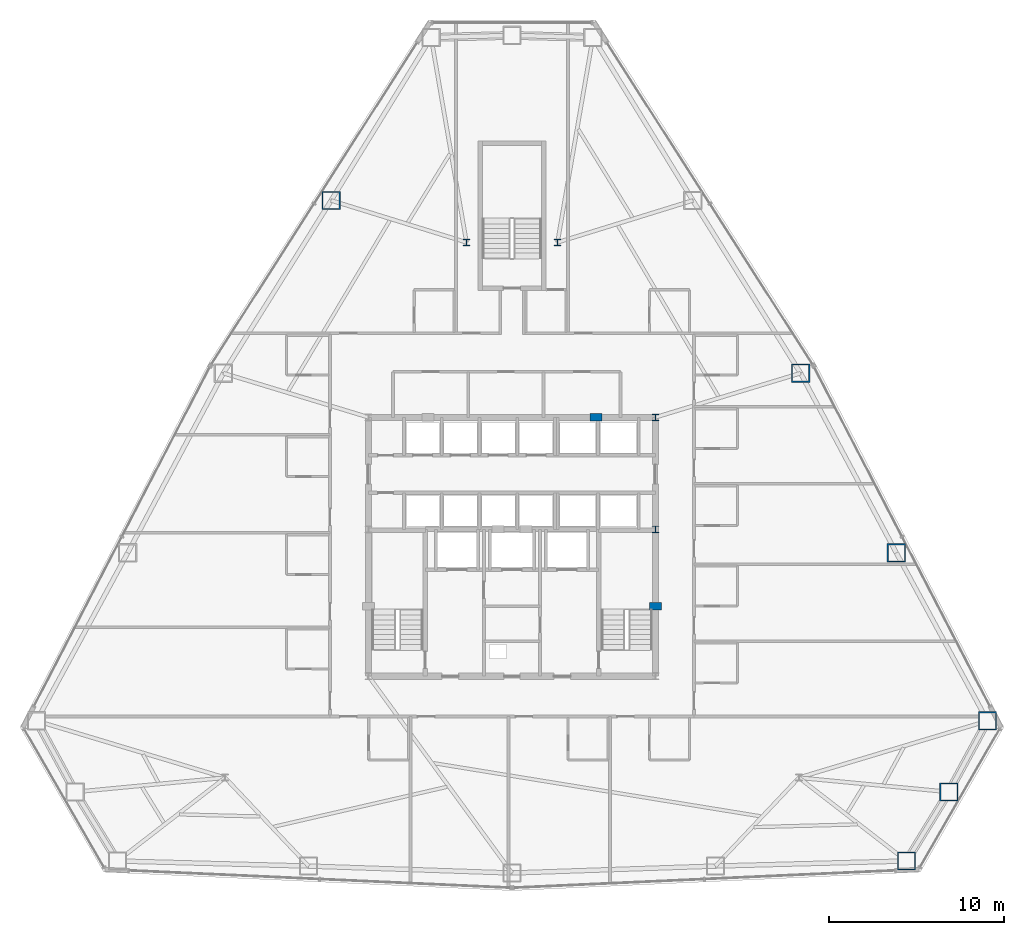
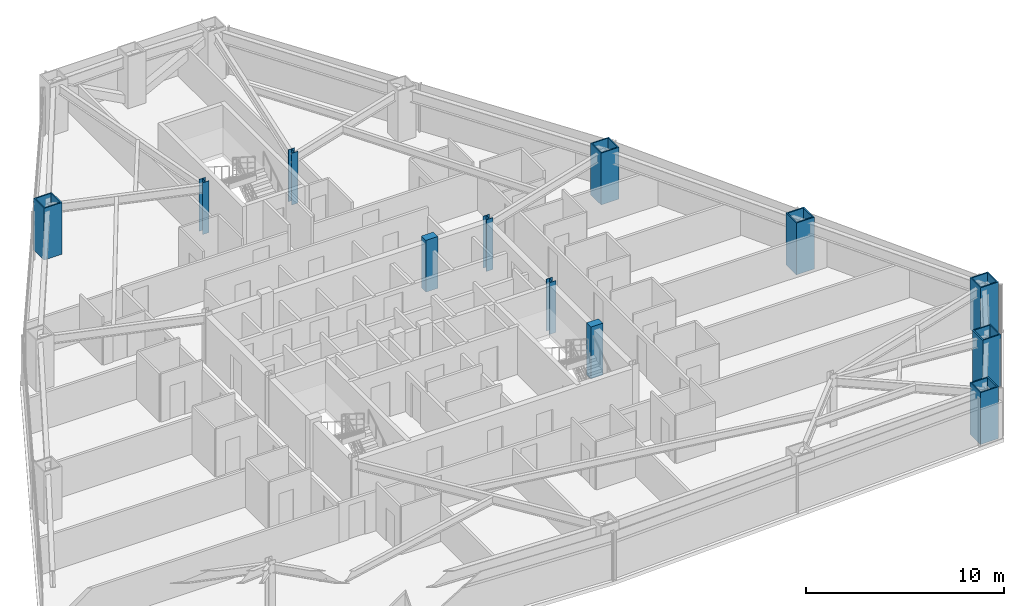
# One storey, part 2 of 13: 12 columns.
"""IFC4 building model written with IfcOpenShell, lengths in metres."""

from ifc_helpers import new_model, si_unit, direction, frame, origin, origin_2d, place, context, subcontext, project, spatial, rectangle, hollow_rectangle, i_section, extrude, material, material_profile, profile_set, type_object, element, save


model = new_model("IFC4")

# Units and contexts
model_context = context("Model", 3, precision=1e-05, world=origin(), true_north=direction((0.0, 1.0)))
body_context = subcontext(model_context, "Body", "Model", "MODEL_VIEW")
ifc_project = project(units=[si_unit("LENGTHUNIT", "METRE"), si_unit("AREAUNIT", "SQUARE_METRE"), si_unit("VOLUMEUNIT", "CUBIC_METRE"), si_unit("PLANEANGLEUNIT", "RADIAN"), si_unit("MASSUNIT", "GRAM", prefix="KILO")], contexts=[model_context])

# Site, building, storey
site_placement = place(None, origin())
site = spatial("IfcSite", under=ifc_project, at=site_placement, CompositionType="ELEMENT")
building_placement = place(site_placement, origin())
building = spatial("IfcBuilding", under=site, at=building_placement, Name="Varakhsha Concourse Tower", CompositionType="ELEMENT")
storey_placement = place(building_placement, frame((0.0, 0.0, 83.0)))
storey = spatial("IfcBuildingStorey", under=building, at=storey_placement, Name="L23", CompositionType="ELEMENT", Elevation=83.0)

# Columns
ifc_material_1 = material(Name="Structural Steel ASTM A992 Grade 50", Category="steel")
ifc_material_profile_1 = material_profile(ifc_material_1, i_section(OverallWidth=0.3740234375, OverallDepth=0.3720703125, WebThickness=0.01611328125, FlangeThickness=0.02587890625, at=origin_2d()), Name="W14X132")
ifc_profile_set_1 = profile_set([ifc_material_profile_1], Name="Structural Steel ASTM A992 Grade 50")
column_type_1 = type_object("IfcColumnType", Name="CL-CORE-W14X132", PredefinedType="COLUMN", material=ifc_profile_set_1)
for number, where, z_axis, x_axis, name in (
    (1, (48.199951171875, 24.800048828125, 0.0), (0.0, 0.0, 1.0), (1.0, 0.0, 0.0), "L23 Core Column CC-ME"),
    (2, (48.199951171875, 31.199951171875, 0.0), (0.0, 0.0, 1.0), (1.0, 0.0, 0.0), "L23 Core Column CC-NE"),
    (3, (37.39990234375, 41.199951171875, 0.0), (0.0, 0.0, 1.0), (1.0, 0.0, 0.0), "L23 Core Column NS-W"),
    (4, (42.60009765625, 41.199951171875, 0.0), (0.0, 0.0, 1.0), (1.0, 0.0, 0.0), "L23 Core Column NS-E"),
):
    element("IfcColumn", number, at=place(storey_placement, frame(where, z_axis=z_axis, x_axis=x_axis)), inside=storey, type_object=column_type_1, Name=name, PredefinedType="COLUMN", context=body_context, shape_type="SweptSolid", body=[
        extrude(i_section(OverallWidth=0.3740234375, OverallDepth=0.3720703125, WebThickness=0.01611328125, FlangeThickness=0.02587890625, at=origin_2d()), origin(), (0.0, 0.0, 1.0), 3.199951171875),
    ])
ifc_material_2 = material(Name="Concrete fc 65 MPa", Category="concrete")
ifc_material_profile_2 = material_profile(ifc_material_2, rectangle(XDim=0.699951171875, YDim=0.449951171875, at=origin_2d()), Name="RC 700x450")
ifc_profile_set_2 = profile_set([ifc_material_profile_2], Name="Concrete fc 65 MPa")
column_type_2 = type_object("IfcColumnType", Name="CL-PIL-700X450", PredefinedType="PILASTER", material=ifc_profile_set_2)
for number, where, z_axis, x_axis, name in (
    (5, (48.199951171875, 20.39990234375, 0.0), (0.0, 0.0, 1.0), (1.0, 0.0, 0.0), "L23 Core Boundary Pilaster PIL-E1"),
    (6, (44.800048828125, 31.199951171875, 0.0), (0.0, 0.0, 1.0), (1.0, 0.0, 0.0), "L23 Core Boundary Pilaster PIL-N2"),
):
    element("IfcColumn", number, at=place(storey_placement, frame(where, z_axis=z_axis, x_axis=x_axis)), inside=storey, type_object=column_type_2, Name=name, PredefinedType="PILASTER", context=body_context, shape_type="SweptSolid", body=[
        extrude(rectangle(XDim=0.699951171875, YDim=0.449951171875, at=origin_2d()), origin(), (0.0, 0.0, 1.0), 3.199951171875),
    ])
ifc_material_3 = material(Name="Structural Steel ASTM A572 Grade 50", Category="steel")
ifc_material_profile_3 = material_profile(ifc_material_3, hollow_rectangle(XDim=1.050048828125, YDim=1.050048828125, WallThickness=0.070068359375, at=origin_2d()), Name="BOX 1050x1050x70")
ifc_profile_set_3 = profile_set([ifc_material_profile_3], Name="Structural Steel ASTM A572 Grade 50")
column_type_3 = type_object("IfcColumnType", Name="CL-TUBE-1050", PredefinedType="COLUMN", material=ifc_profile_set_3)
for number, where, z_axis, x_axis, name in (
    (7, (29.662109375, 43.596435546875, 0.0), (0.0, 0.0, 1.0), (1.0, 0.0, 0.0), "L23 Framed-Tube Column TC04"),
    (8, (62.552734375, 5.8388671875, 0.0), (0.0, 0.0, 1.0), (1.0, 0.0, 0.0), "L23 Framed-Tube Column TC13"),
    (9, (64.96826171875, 9.784423828125, 0.0), (0.0, 0.0, 1.0), (1.0, 0.0, 0.0), "L23 Framed-Tube Column TC14"),
    (10, (67.177490234375, 13.849365234375, 0.0), (0.0, 0.0, 1.0), (1.0, 0.0, 0.0), "L23 Framed-Tube Column TC15"),
    (11, (61.966796875, 23.45458984375, 0.0), (0.0, 0.0, 1.0), (1.0, 0.0, 0.0), "L23 Framed-Tube Column TC16"),
    (12, (56.49609375, 33.72412109375, 0.0), (0.0, 0.0, 1.0), (1.0, 0.0, 0.0), "L23 Framed-Tube Column TC17"),
):
    element("IfcColumn", number, at=place(storey_placement, frame(where, z_axis=z_axis, x_axis=x_axis)), inside=storey, type_object=column_type_3, Name=name, PredefinedType="COLUMN", context=body_context, shape_type="SweptSolid", body=[
        extrude(hollow_rectangle(XDim=1.050048828125, YDim=1.050048828125, WallThickness=0.070068359375, at=origin_2d()), origin(), (0.0, 0.0, 1.0), 3.199951171875),
    ])

save(model, "model.ifc")
